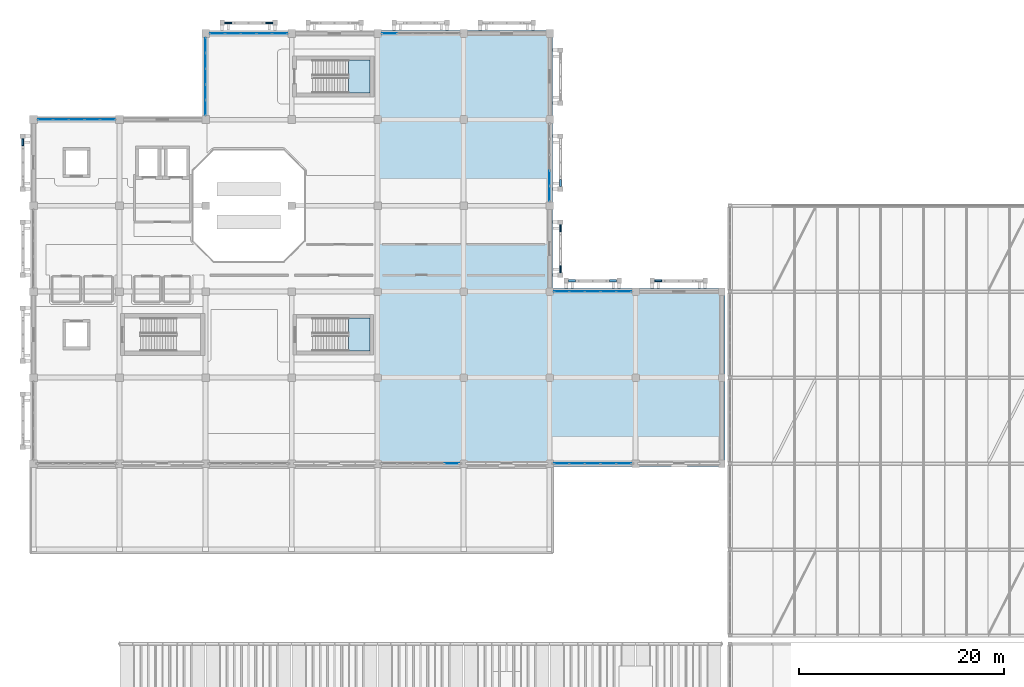
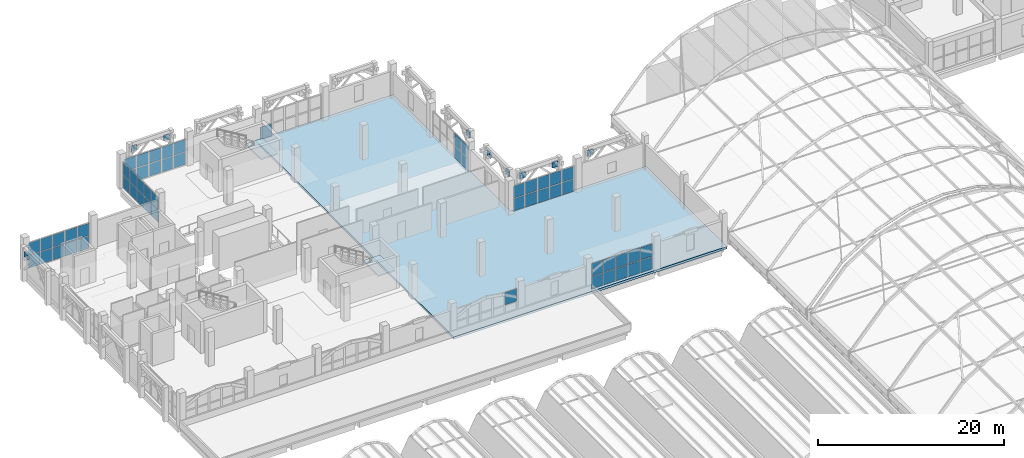
# One storey, part 92 of 114: 65 plates, 3 slabs, 10 elements without a shape of their own.
"""IFC4 building model written with IfcOpenShell, lengths in metres."""

from ifc_helpers import new_model, si_unit, direction, frame, origin, origin_2d, place, context, subcontext, project, spatial, polyline, rectangle, outline, extrude, material, layer, layer_set, type_object, element, aggregate, save


model = new_model("IFC4")

# Units and contexts
model_context = context("Model", 3, precision=1e-05, world=origin(), true_north=direction((0.0, 1.0)))
body_context = subcontext(model_context, "Body", "Model", "MODEL_VIEW")
ifc_project = project(units=[si_unit("LENGTHUNIT", "METRE"), si_unit("AREAUNIT", "SQUARE_METRE"), si_unit("VOLUMEUNIT", "CUBIC_METRE"), si_unit("PLANEANGLEUNIT", "RADIAN"), si_unit("MASSUNIT", "GRAM", prefix="KILO")], contexts=[model_context])

# Site, building, storey
site_placement = place(None, origin())
site = spatial("IfcSite", under=ifc_project, at=site_placement, CompositionType="ELEMENT")
building_placement = place(site_placement, origin())
building = spatial("IfcBuilding", under=site, at=building_placement, Name="Xazarin Passage Department Store", CompositionType="ELEMENT")
storey_placement = place(building_placement, frame((0.0, 0.0, 14.39990234375)))
storey = spatial("IfcBuildingStorey", under=building, at=storey_placement, Name="L03", CompositionType="ELEMENT", Elevation=14.39990234375)

# Curtain wall, plate
ifc_material_1 = material(Name="Bronze anodised aluminium", Category="aluminium")
ifc_layer_1 = layer(ifc_material_1, 0.199951171875)
ifc_layer_set_1 = layer_set([ifc_layer_1], Name="Bronze anodised aluminium")
curtain_wall_type = type_object("IfcCurtainWallType", Name="ARC-CW-VIT2", PredefinedType="NOTDEFINED", material=ifc_layer_set_1)
curtain_wall_1_placement = place(storey_placement, origin())
curtain_wall_1 = element("IfcCurtainWall", 1, at=curtain_wall_1_placement, inside=storey, type_object=curtain_wall_type, Name="L03 V1 Curtain Wall 057", PredefinedType="NOTDEFINED")
ifc_material_2 = material(Name="Low-E laminated safety glass", Category="glass")
ifc_layer_2 = layer(ifc_material_2, 0.031982421875)
ifc_layer_set_2 = layer_set([ifc_layer_2], Name="Low-E laminated safety glass")
plate_type_1 = type_object("IfcPlateType", Name="ARC-CWP-GLZ32", PredefinedType="CURTAIN_PANEL", material=ifc_layer_set_2)
plate_1_placement = place(storey_placement, frame((40.84130859375, 68.0, 1.7626953125), z_axis=(0.0, 0.0, 1.0), x_axis=(1.0, 0.0, 0.0)))
plate_1 = element("IfcPlate", 2, at=plate_1_placement, type_object=plate_type_1, Name="CW2 panel 5.2", PredefinedType="CURTAIN_PANEL", context=body_context, shape_type="SweptSolid", body=[
    extrude(rectangle(XDim=1.41748046875, YDim=0.031982421875, at=origin_2d()), origin(), (0.0, 0.0, 1.0), 1.612548828125),
])
aggregate(curtain_wall_1, [plate_1])

# Curtain wall, plates
curtain_wall_2_placement = place(storey_placement, origin())
curtain_wall_2 = element("IfcCurtainWall", 3, at=curtain_wall_2_placement, inside=storey, type_object=curtain_wall_type, Name="L03 V1 Curtain Wall 058", PredefinedType="NOTDEFINED")
plate_2_placement = place(storey_placement, frame((51.558837890625, 68.0, 0.0751953125), z_axis=(0.0, 0.0, 1.0), x_axis=(1.0, 0.0, 0.0)))
plate_2 = element("IfcPlate", 4, at=plate_2_placement, type_object=plate_type_1, Name="CW2 panel 1.1", PredefinedType="CURTAIN_PANEL", context=body_context, shape_type="SweptSolid", body=[
    extrude(rectangle(XDim=1.41748046875, YDim=0.031982421875, at=origin_2d()), origin(), (0.0, 0.0, 1.0), 1.612548828125),
])
plate_3_placement = place(storey_placement, frame((51.558837890625, 68.0, 1.7626953125), z_axis=(0.0, 0.0, 1.0), x_axis=(1.0, 0.0, 0.0)))
plate_3 = element("IfcPlate", 5, at=plate_3_placement, type_object=plate_type_1, Name="CW2 panel 1.2", PredefinedType="CURTAIN_PANEL", context=body_context, shape_type="SweptSolid", body=[
    extrude(rectangle(XDim=1.41748046875, YDim=0.031982421875, at=origin_2d()), origin(), (0.0, 0.0, 1.0), 1.612548828125),
])
plate_4_placement = place(storey_placement, frame((53.070068359375, 68.0, 0.0751953125), z_axis=(0.0, 0.0, 1.0), x_axis=(1.0, 0.0, 0.0)))
plate_4 = element("IfcPlate", 6, at=plate_4_placement, type_object=plate_type_1, Name="CW2 panel 2.1", PredefinedType="CURTAIN_PANEL", context=body_context, shape_type="SweptSolid", body=[
    extrude(rectangle(XDim=1.455078125, YDim=0.031982421875, at=origin_2d()), origin(), (0.0, 0.0, 1.0), 1.612548828125),
])
plate_5_placement = place(storey_placement, frame((53.070068359375, 68.0, 1.7626953125), z_axis=(0.0, 0.0, 1.0), x_axis=(1.0, 0.0, 0.0)))
plate_5 = element("IfcPlate", 7, at=plate_5_placement, type_object=plate_type_1, Name="CW2 panel 2.2", PredefinedType="CURTAIN_PANEL", context=body_context, shape_type="SweptSolid", body=[
    extrude(rectangle(XDim=1.455078125, YDim=0.031982421875, at=origin_2d()), origin(), (0.0, 0.0, 1.0), 1.612548828125),
])
plate_6_placement = place(storey_placement, frame((54.60009765625, 68.0, 0.0751953125), z_axis=(0.0, 0.0, 1.0), x_axis=(1.0, 0.0, 0.0)))
plate_6 = element("IfcPlate", 8, at=plate_6_placement, type_object=plate_type_1, Name="CW2 panel 3.1", PredefinedType="CURTAIN_PANEL", context=body_context, shape_type="SweptSolid", body=[
    extrude(rectangle(XDim=1.455078125, YDim=0.031982421875, at=origin_2d()), origin(), (0.0, 0.0, 1.0), 1.612548828125),
])
plate_7_placement = place(storey_placement, frame((54.60009765625, 68.0, 1.7626953125), z_axis=(0.0, 0.0, 1.0), x_axis=(1.0, 0.0, 0.0)))
plate_7 = element("IfcPlate", 9, at=plate_7_placement, type_object=plate_type_1, Name="CW2 panel 3.2", PredefinedType="CURTAIN_PANEL", context=body_context, shape_type="SweptSolid", body=[
    extrude(rectangle(XDim=1.455078125, YDim=0.031982421875, at=origin_2d()), origin(), (0.0, 0.0, 1.0), 1.612548828125),
])
plate_8_placement = place(storey_placement, frame((56.1298828125, 68.0, 0.0751953125), z_axis=(0.0, 0.0, 1.0), x_axis=(1.0, 0.0, 0.0)))
plate_8 = element("IfcPlate", 10, at=plate_8_placement, type_object=plate_type_1, Name="CW2 panel 4.1", PredefinedType="CURTAIN_PANEL", context=body_context, shape_type="SweptSolid", body=[
    extrude(rectangle(XDim=1.455078125, YDim=0.031982421875, at=origin_2d()), origin(), (0.0, 0.0, 1.0), 1.612548828125),
])
plate_9_placement = place(storey_placement, frame((56.1298828125, 68.0, 1.7626953125), z_axis=(0.0, 0.0, 1.0), x_axis=(1.0, 0.0, 0.0)))
plate_9 = element("IfcPlate", 11, at=plate_9_placement, type_object=plate_type_1, Name="CW2 panel 4.2", PredefinedType="CURTAIN_PANEL", context=body_context, shape_type="SweptSolid", body=[
    extrude(rectangle(XDim=1.455078125, YDim=0.031982421875, at=origin_2d()), origin(), (0.0, 0.0, 1.0), 1.612548828125),
])
plate_10_placement = place(storey_placement, frame((57.641357421875, 68.0, 0.0751953125), z_axis=(0.0, 0.0, 1.0), x_axis=(1.0, 0.0, 0.0)))
plate_10 = element("IfcPlate", 12, at=plate_10_placement, type_object=plate_type_1, Name="CW2 panel 5.1", PredefinedType="CURTAIN_PANEL", context=body_context, shape_type="SweptSolid", body=[
    extrude(rectangle(XDim=1.41748046875, YDim=0.031982421875, at=origin_2d()), origin(), (0.0, 0.0, 1.0), 1.612548828125),
])
plate_11_placement = place(storey_placement, frame((57.641357421875, 68.0, 1.7626953125), z_axis=(0.0, 0.0, 1.0), x_axis=(1.0, 0.0, 0.0)))
plate_11 = element("IfcPlate", 13, at=plate_11_placement, type_object=plate_type_1, Name="CW2 panel 5.2", PredefinedType="CURTAIN_PANEL", context=body_context, shape_type="SweptSolid", body=[
    extrude(rectangle(XDim=1.41748046875, YDim=0.031982421875, at=origin_2d()), origin(), (0.0, 0.0, 1.0), 1.612548828125),
])
aggregate(curtain_wall_2, [plate_2, plate_3, plate_4, plate_5, plate_6, plate_7, plate_8, plate_9, plate_10, plate_11])

curtain_wall_3_placement = place(storey_placement, origin())
curtain_wall_3 = element("IfcCurtainWall", 14, at=curtain_wall_3_placement, inside=storey, type_object=curtain_wall_type, Name="L03 V1 Curtain Wall 059", PredefinedType="NOTDEFINED")
plate_12_placement = place(storey_placement, frame((51.558837890625, 84.800048828125, 0.0751953125), z_axis=(0.0, 0.0, 1.0), x_axis=(1.0, 0.0, 0.0)))
plate_12 = element("IfcPlate", 15, at=plate_12_placement, type_object=plate_type_1, Name="CW2 panel 1.1", PredefinedType="CURTAIN_PANEL", context=body_context, shape_type="SweptSolid", body=[
    extrude(rectangle(XDim=1.41748046875, YDim=0.031982421875, at=origin_2d()), origin(), (0.0, 0.0, 1.0), 1.612548828125),
])
plate_13_placement = place(storey_placement, frame((51.558837890625, 84.800048828125, 1.7626953125), z_axis=(0.0, 0.0, 1.0), x_axis=(1.0, 0.0, 0.0)))
plate_13 = element("IfcPlate", 16, at=plate_13_placement, type_object=plate_type_1, Name="CW2 panel 1.2", PredefinedType="CURTAIN_PANEL", context=body_context, shape_type="SweptSolid", body=[
    extrude(rectangle(XDim=1.41748046875, YDim=0.031982421875, at=origin_2d()), origin(), (0.0, 0.0, 1.0), 1.612548828125),
])
plate_14_placement = place(storey_placement, frame((53.070068359375, 84.800048828125, 0.0751953125), z_axis=(0.0, 0.0, 1.0), x_axis=(1.0, 0.0, 0.0)))
plate_14 = element("IfcPlate", 17, at=plate_14_placement, type_object=plate_type_1, Name="CW2 panel 2.1", PredefinedType="CURTAIN_PANEL", context=body_context, shape_type="SweptSolid", body=[
    extrude(rectangle(XDim=1.455078125, YDim=0.031982421875, at=origin_2d()), origin(), (0.0, 0.0, 1.0), 1.612548828125),
])
plate_15_placement = place(storey_placement, frame((53.070068359375, 84.800048828125, 1.7626953125), z_axis=(0.0, 0.0, 1.0), x_axis=(1.0, 0.0, 0.0)))
plate_15 = element("IfcPlate", 18, at=plate_15_placement, type_object=plate_type_1, Name="CW2 panel 2.2", PredefinedType="CURTAIN_PANEL", context=body_context, shape_type="SweptSolid", body=[
    extrude(rectangle(XDim=1.455078125, YDim=0.031982421875, at=origin_2d()), origin(), (0.0, 0.0, 1.0), 1.612548828125),
])
plate_16_placement = place(storey_placement, frame((54.60009765625, 84.800048828125, 0.0751953125), z_axis=(0.0, 0.0, 1.0), x_axis=(1.0, 0.0, 0.0)))
plate_16 = element("IfcPlate", 19, at=plate_16_placement, type_object=plate_type_1, Name="CW2 panel 3.1", PredefinedType="CURTAIN_PANEL", context=body_context, shape_type="SweptSolid", body=[
    extrude(rectangle(XDim=1.455078125, YDim=0.031982421875, at=origin_2d()), origin(), (0.0, 0.0, 1.0), 1.612548828125),
])
plate_17_placement = place(storey_placement, frame((54.60009765625, 84.800048828125, 1.7626953125), z_axis=(0.0, 0.0, 1.0), x_axis=(1.0, 0.0, 0.0)))
plate_17 = element("IfcPlate", 20, at=plate_17_placement, type_object=plate_type_1, Name="CW2 panel 3.2", PredefinedType="CURTAIN_PANEL", context=body_context, shape_type="SweptSolid", body=[
    extrude(rectangle(XDim=1.455078125, YDim=0.031982421875, at=origin_2d()), origin(), (0.0, 0.0, 1.0), 1.612548828125),
])
plate_18_placement = place(storey_placement, frame((56.1298828125, 84.800048828125, 0.0751953125), z_axis=(0.0, 0.0, 1.0), x_axis=(1.0, 0.0, 0.0)))
plate_18 = element("IfcPlate", 21, at=plate_18_placement, type_object=plate_type_1, Name="CW2 panel 4.1", PredefinedType="CURTAIN_PANEL", context=body_context, shape_type="SweptSolid", body=[
    extrude(rectangle(XDim=1.455078125, YDim=0.031982421875, at=origin_2d()), origin(), (0.0, 0.0, 1.0), 1.612548828125),
])
plate_19_placement = place(storey_placement, frame((56.1298828125, 84.800048828125, 1.7626953125), z_axis=(0.0, 0.0, 1.0), x_axis=(1.0, 0.0, 0.0)))
plate_19 = element("IfcPlate", 22, at=plate_19_placement, type_object=plate_type_1, Name="CW2 panel 4.2", PredefinedType="CURTAIN_PANEL", context=body_context, shape_type="SweptSolid", body=[
    extrude(rectangle(XDim=1.455078125, YDim=0.031982421875, at=origin_2d()), origin(), (0.0, 0.0, 1.0), 1.612548828125),
])
plate_20_placement = place(storey_placement, frame((57.641357421875, 84.800048828125, 0.0751953125), z_axis=(0.0, 0.0, 1.0), x_axis=(1.0, 0.0, 0.0)))
plate_20 = element("IfcPlate", 23, at=plate_20_placement, type_object=plate_type_1, Name="CW2 panel 5.1", PredefinedType="CURTAIN_PANEL", context=body_context, shape_type="SweptSolid", body=[
    extrude(rectangle(XDim=1.41748046875, YDim=0.031982421875, at=origin_2d()), origin(), (0.0, 0.0, 1.0), 1.612548828125),
])
plate_21_placement = place(storey_placement, frame((57.641357421875, 84.800048828125, 1.7626953125), z_axis=(0.0, 0.0, 1.0), x_axis=(1.0, 0.0, 0.0)))
plate_21 = element("IfcPlate", 24, at=plate_21_placement, type_object=plate_type_1, Name="CW2 panel 5.2", PredefinedType="CURTAIN_PANEL", context=body_context, shape_type="SweptSolid", body=[
    extrude(rectangle(XDim=1.41748046875, YDim=0.031982421875, at=origin_2d()), origin(), (0.0, 0.0, 1.0), 1.612548828125),
])
aggregate(curtain_wall_3, [plate_12, plate_13, plate_14, plate_15, plate_16, plate_17, plate_18, plate_19, plate_20, plate_21])

curtain_wall_4_placement = place(storey_placement, origin())
curtain_wall_4 = element("IfcCurtainWall", 25, at=curtain_wall_4_placement, inside=storey, type_object=curtain_wall_type, Name="L03 V1 Curtain Wall 060", PredefinedType="NOTDEFINED")
plate_22_placement = place(storey_placement, frame((1.15869140625, 101.60009765625, 0.0751953125), z_axis=(0.0, 0.0, 1.0), x_axis=(1.0, 0.0, 0.0)))
plate_22 = element("IfcPlate", 26, at=plate_22_placement, type_object=plate_type_1, Name="CW2 panel 1.1", PredefinedType="CURTAIN_PANEL", context=body_context, shape_type="SweptSolid", body=[
    extrude(rectangle(XDim=1.41748046875, YDim=0.031982421875, at=origin_2d()), origin(), (0.0, 0.0, 1.0), 1.612548828125),
])
plate_23_placement = place(storey_placement, frame((1.15869140625, 101.60009765625, 1.7626953125), z_axis=(0.0, 0.0, 1.0), x_axis=(1.0, 0.0, 0.0)))
plate_23 = element("IfcPlate", 27, at=plate_23_placement, type_object=plate_type_1, Name="CW2 panel 1.2", PredefinedType="CURTAIN_PANEL", context=body_context, shape_type="SweptSolid", body=[
    extrude(rectangle(XDim=1.41748046875, YDim=0.031982421875, at=origin_2d()), origin(), (0.0, 0.0, 1.0), 1.612548828125),
])
plate_24_placement = place(storey_placement, frame((2.669921875, 101.60009765625, 0.0751953125), z_axis=(0.0, 0.0, 1.0), x_axis=(1.0, 0.0, 0.0)))
plate_24 = element("IfcPlate", 28, at=plate_24_placement, type_object=plate_type_1, Name="CW2 panel 2.1", PredefinedType="CURTAIN_PANEL", context=body_context, shape_type="SweptSolid", body=[
    extrude(rectangle(XDim=1.455078125, YDim=0.031982421875, at=origin_2d()), origin(), (0.0, 0.0, 1.0), 1.612548828125),
])
plate_25_placement = place(storey_placement, frame((2.669921875, 101.60009765625, 1.7626953125), z_axis=(0.0, 0.0, 1.0), x_axis=(1.0, 0.0, 0.0)))
plate_25 = element("IfcPlate", 29, at=plate_25_placement, type_object=plate_type_1, Name="CW2 panel 2.2", PredefinedType="CURTAIN_PANEL", context=body_context, shape_type="SweptSolid", body=[
    extrude(rectangle(XDim=1.455078125, YDim=0.031982421875, at=origin_2d()), origin(), (0.0, 0.0, 1.0), 1.612548828125),
])
plate_26_placement = place(storey_placement, frame((4.199951171875, 101.60009765625, 0.0751953125), z_axis=(0.0, 0.0, 1.0), x_axis=(1.0, 0.0, 0.0)))
plate_26 = element("IfcPlate", 30, at=plate_26_placement, type_object=plate_type_1, Name="CW2 panel 3.1", PredefinedType="CURTAIN_PANEL", context=body_context, shape_type="SweptSolid", body=[
    extrude(rectangle(XDim=1.455078125, YDim=0.031982421875, at=origin_2d()), origin(), (0.0, 0.0, 1.0), 1.612548828125),
])
plate_27_placement = place(storey_placement, frame((4.199951171875, 101.60009765625, 1.7626953125), z_axis=(0.0, 0.0, 1.0), x_axis=(1.0, 0.0, 0.0)))
plate_27 = element("IfcPlate", 31, at=plate_27_placement, type_object=plate_type_1, Name="CW2 panel 3.2", PredefinedType="CURTAIN_PANEL", context=body_context, shape_type="SweptSolid", body=[
    extrude(rectangle(XDim=1.455078125, YDim=0.031982421875, at=origin_2d()), origin(), (0.0, 0.0, 1.0), 1.612548828125),
])
plate_28_placement = place(storey_placement, frame((5.72998046875, 101.60009765625, 0.0751953125), z_axis=(0.0, 0.0, 1.0), x_axis=(1.0, 0.0, 0.0)))
plate_28 = element("IfcPlate", 32, at=plate_28_placement, type_object=plate_type_1, Name="CW2 panel 4.1", PredefinedType="CURTAIN_PANEL", context=body_context, shape_type="SweptSolid", body=[
    extrude(rectangle(XDim=1.455078125, YDim=0.031982421875, at=origin_2d()), origin(), (0.0, 0.0, 1.0), 1.612548828125),
])
plate_29_placement = place(storey_placement, frame((5.72998046875, 101.60009765625, 1.7626953125), z_axis=(0.0, 0.0, 1.0), x_axis=(1.0, 0.0, 0.0)))
plate_29 = element("IfcPlate", 33, at=plate_29_placement, type_object=plate_type_1, Name="CW2 panel 4.2", PredefinedType="CURTAIN_PANEL", context=body_context, shape_type="SweptSolid", body=[
    extrude(rectangle(XDim=1.455078125, YDim=0.031982421875, at=origin_2d()), origin(), (0.0, 0.0, 1.0), 1.612548828125),
])
plate_30_placement = place(storey_placement, frame((7.2412109375, 101.60009765625, 0.0751953125), z_axis=(0.0, 0.0, 1.0), x_axis=(1.0, 0.0, 0.0)))
plate_30 = element("IfcPlate", 34, at=plate_30_placement, type_object=plate_type_1, Name="CW2 panel 5.1", PredefinedType="CURTAIN_PANEL", context=body_context, shape_type="SweptSolid", body=[
    extrude(rectangle(XDim=1.41748046875, YDim=0.031982421875, at=origin_2d()), origin(), (0.0, 0.0, 1.0), 1.612548828125),
])
plate_31_placement = place(storey_placement, frame((7.2412109375, 101.60009765625, 1.7626953125), z_axis=(0.0, 0.0, 1.0), x_axis=(1.0, 0.0, 0.0)))
plate_31 = element("IfcPlate", 35, at=plate_31_placement, type_object=plate_type_1, Name="CW2 panel 5.2", PredefinedType="CURTAIN_PANEL", context=body_context, shape_type="SweptSolid", body=[
    extrude(rectangle(XDim=1.41748046875, YDim=0.031982421875, at=origin_2d()), origin(), (0.0, 0.0, 1.0), 1.612548828125),
])
aggregate(curtain_wall_4, [plate_22, plate_23, plate_24, plate_25, plate_26, plate_27, plate_28, plate_29, plate_30, plate_31])

curtain_wall_5_placement = place(storey_placement, origin())
curtain_wall_5 = element("IfcCurtainWall", 36, at=curtain_wall_5_placement, inside=storey, type_object=curtain_wall_type, Name="L03 V1 Curtain Wall 061", PredefinedType="NOTDEFINED")
plate_32_placement = place(storey_placement, frame((17.958740234375, 110.0, 0.0751953125), z_axis=(0.0, 0.0, 1.0), x_axis=(1.0, 0.0, 0.0)))
plate_32 = element("IfcPlate", 37, at=plate_32_placement, type_object=plate_type_1, Name="CW2 panel 1.1", PredefinedType="CURTAIN_PANEL", context=body_context, shape_type="SweptSolid", body=[
    extrude(rectangle(XDim=1.41748046875, YDim=0.031982421875, at=origin_2d()), origin(), (0.0, 0.0, 1.0), 1.612548828125),
])
plate_33_placement = place(storey_placement, frame((17.958740234375, 110.0, 1.7626953125), z_axis=(0.0, 0.0, 1.0), x_axis=(1.0, 0.0, 0.0)))
plate_33 = element("IfcPlate", 38, at=plate_33_placement, type_object=plate_type_1, Name="CW2 panel 1.2", PredefinedType="CURTAIN_PANEL", context=body_context, shape_type="SweptSolid", body=[
    extrude(rectangle(XDim=1.41748046875, YDim=0.031982421875, at=origin_2d()), origin(), (0.0, 0.0, 1.0), 1.612548828125),
])
plate_34_placement = place(storey_placement, frame((19.469970703125, 110.0, 0.0751953125), z_axis=(0.0, 0.0, 1.0), x_axis=(1.0, 0.0, 0.0)))
plate_34 = element("IfcPlate", 39, at=plate_34_placement, type_object=plate_type_1, Name="CW2 panel 2.1", PredefinedType="CURTAIN_PANEL", context=body_context, shape_type="SweptSolid", body=[
    extrude(rectangle(XDim=1.455078125, YDim=0.031982421875, at=origin_2d()), origin(), (0.0, 0.0, 1.0), 1.612548828125),
])
plate_35_placement = place(storey_placement, frame((19.469970703125, 110.0, 1.7626953125), z_axis=(0.0, 0.0, 1.0), x_axis=(1.0, 0.0, 0.0)))
plate_35 = element("IfcPlate", 40, at=plate_35_placement, type_object=plate_type_1, Name="CW2 panel 2.2", PredefinedType="CURTAIN_PANEL", context=body_context, shape_type="SweptSolid", body=[
    extrude(rectangle(XDim=1.455078125, YDim=0.031982421875, at=origin_2d()), origin(), (0.0, 0.0, 1.0), 1.612548828125),
])
plate_36_placement = place(storey_placement, frame((21.0, 110.0, 0.0751953125), z_axis=(0.0, 0.0, 1.0), x_axis=(1.0, 0.0, 0.0)))
plate_36 = element("IfcPlate", 41, at=plate_36_placement, type_object=plate_type_1, Name="CW2 panel 3.1", PredefinedType="CURTAIN_PANEL", context=body_context, shape_type="SweptSolid", body=[
    extrude(rectangle(XDim=1.455078125, YDim=0.031982421875, at=origin_2d()), origin(), (0.0, 0.0, 1.0), 1.612548828125),
])
plate_37_placement = place(storey_placement, frame((21.0, 110.0, 1.7626953125), z_axis=(0.0, 0.0, 1.0), x_axis=(1.0, 0.0, 0.0)))
plate_37 = element("IfcPlate", 42, at=plate_37_placement, type_object=plate_type_1, Name="CW2 panel 3.2", PredefinedType="CURTAIN_PANEL", context=body_context, shape_type="SweptSolid", body=[
    extrude(rectangle(XDim=1.455078125, YDim=0.031982421875, at=origin_2d()), origin(), (0.0, 0.0, 1.0), 1.612548828125),
])
plate_38_placement = place(storey_placement, frame((22.530029296875, 110.0, 0.0751953125), z_axis=(0.0, 0.0, 1.0), x_axis=(1.0, 0.0, 0.0)))
plate_38 = element("IfcPlate", 43, at=plate_38_placement, type_object=plate_type_1, Name="CW2 panel 4.1", PredefinedType="CURTAIN_PANEL", context=body_context, shape_type="SweptSolid", body=[
    extrude(rectangle(XDim=1.455078125, YDim=0.031982421875, at=origin_2d()), origin(), (0.0, 0.0, 1.0), 1.612548828125),
])
plate_39_placement = place(storey_placement, frame((22.530029296875, 110.0, 1.7626953125), z_axis=(0.0, 0.0, 1.0), x_axis=(1.0, 0.0, 0.0)))
plate_39 = element("IfcPlate", 44, at=plate_39_placement, type_object=plate_type_1, Name="CW2 panel 4.2", PredefinedType="CURTAIN_PANEL", context=body_context, shape_type="SweptSolid", body=[
    extrude(rectangle(XDim=1.455078125, YDim=0.031982421875, at=origin_2d()), origin(), (0.0, 0.0, 1.0), 1.612548828125),
])
plate_40_placement = place(storey_placement, frame((24.041259765625, 110.0, 0.0751953125), z_axis=(0.0, 0.0, 1.0), x_axis=(1.0, 0.0, 0.0)))
plate_40 = element("IfcPlate", 45, at=plate_40_placement, type_object=plate_type_1, Name="CW2 panel 5.1", PredefinedType="CURTAIN_PANEL", context=body_context, shape_type="SweptSolid", body=[
    extrude(rectangle(XDim=1.41748046875, YDim=0.031982421875, at=origin_2d()), origin(), (0.0, 0.0, 1.0), 1.612548828125),
])
plate_41_placement = place(storey_placement, frame((24.041259765625, 110.0, 1.7626953125), z_axis=(0.0, 0.0, 1.0), x_axis=(1.0, 0.0, 0.0)))
plate_41 = element("IfcPlate", 46, at=plate_41_placement, type_object=plate_type_1, Name="CW2 panel 5.2", PredefinedType="CURTAIN_PANEL", context=body_context, shape_type="SweptSolid", body=[
    extrude(rectangle(XDim=1.41748046875, YDim=0.031982421875, at=origin_2d()), origin(), (0.0, 0.0, 1.0), 1.612548828125),
])
aggregate(curtain_wall_5, [plate_32, plate_33, plate_34, plate_35, plate_36, plate_37, plate_38, plate_39, plate_40, plate_41])

# Curtain wall, plate
curtain_wall_6_placement = place(storey_placement, origin())
curtain_wall_6 = element("IfcCurtainWall", 47, at=curtain_wall_6_placement, inside=storey, type_object=curtain_wall_type, Name="L03 V1 Curtain Wall 062", PredefinedType="NOTDEFINED")
plate_42_placement = place(storey_placement, frame((34.7587890625, 110.0, 0.0751953125), z_axis=(0.0, 0.0, 1.0), x_axis=(1.0, 0.0, 0.0)))
plate_42 = element("IfcPlate", 48, at=plate_42_placement, type_object=plate_type_1, Name="CW2 panel 1.1", PredefinedType="CURTAIN_PANEL", context=body_context, shape_type="SweptSolid", body=[
    extrude(rectangle(XDim=1.41748046875, YDim=0.031982421875, at=origin_2d()), origin(), (0.0, 0.0, 1.0), 1.612548828125),
])
aggregate(curtain_wall_6, [plate_42])

# Curtain wall, plates
curtain_wall_7_placement = place(storey_placement, origin())
curtain_wall_7 = element("IfcCurtainWall", 49, at=curtain_wall_7_placement, inside=storey, type_object=curtain_wall_type, Name="L03 V1 Curtain Wall 065", PredefinedType="NOTDEFINED")
plate_43_placement = place(storey_placement, frame((16.800048828125, 102.7587890625, 0.0751953125), z_axis=(0.0, 0.0, 1.0), x_axis=(0.0, 1.0, 0.0)))
plate_43 = element("IfcPlate", 50, at=plate_43_placement, type_object=plate_type_1, Name="CW2 panel 1.1", PredefinedType="CURTAIN_PANEL", context=body_context, shape_type="SweptSolid", body=[
    extrude(rectangle(XDim=1.41748046875, YDim=0.031982421875, at=origin_2d()), origin(), (0.0, 0.0, 1.0), 1.612548828125),
])
plate_44_placement = place(storey_placement, frame((16.800048828125, 102.7587890625, 1.7626953125), z_axis=(0.0, 0.0, 1.0), x_axis=(0.0, 1.0, 0.0)))
plate_44 = element("IfcPlate", 51, at=plate_44_placement, type_object=plate_type_1, Name="CW2 panel 1.2", PredefinedType="CURTAIN_PANEL", context=body_context, shape_type="SweptSolid", body=[
    extrude(rectangle(XDim=1.41748046875, YDim=0.031982421875, at=origin_2d()), origin(), (0.0, 0.0, 1.0), 1.612548828125),
])
plate_45_placement = place(storey_placement, frame((16.800048828125, 104.27001953125, 0.0751953125), z_axis=(0.0, 0.0, 1.0), x_axis=(0.0, 1.0, 0.0)))
plate_45 = element("IfcPlate", 52, at=plate_45_placement, type_object=plate_type_1, Name="CW2 panel 2.1", PredefinedType="CURTAIN_PANEL", context=body_context, shape_type="SweptSolid", body=[
    extrude(rectangle(XDim=1.455078125, YDim=0.031982421875, at=origin_2d()), origin(), (0.0, 0.0, 1.0), 1.612548828125),
])
plate_46_placement = place(storey_placement, frame((16.800048828125, 104.27001953125, 1.7626953125), z_axis=(0.0, 0.0, 1.0), x_axis=(0.0, 1.0, 0.0)))
plate_46 = element("IfcPlate", 53, at=plate_46_placement, type_object=plate_type_1, Name="CW2 panel 2.2", PredefinedType="CURTAIN_PANEL", context=body_context, shape_type="SweptSolid", body=[
    extrude(rectangle(XDim=1.455078125, YDim=0.031982421875, at=origin_2d()), origin(), (0.0, 0.0, 1.0), 1.612548828125),
])
plate_47_placement = place(storey_placement, frame((16.800048828125, 105.800048828125, 0.0751953125), z_axis=(0.0, 0.0, 1.0), x_axis=(0.0, 1.0, 0.0)))
plate_47 = element("IfcPlate", 54, at=plate_47_placement, type_object=plate_type_1, Name="CW2 panel 3.1", PredefinedType="CURTAIN_PANEL", context=body_context, shape_type="SweptSolid", body=[
    extrude(rectangle(XDim=1.455078125, YDim=0.031982421875, at=origin_2d()), origin(), (0.0, 0.0, 1.0), 1.612548828125),
])
plate_48_placement = place(storey_placement, frame((16.800048828125, 105.800048828125, 1.7626953125), z_axis=(0.0, 0.0, 1.0), x_axis=(0.0, 1.0, 0.0)))
plate_48 = element("IfcPlate", 55, at=plate_48_placement, type_object=plate_type_1, Name="CW2 panel 3.2", PredefinedType="CURTAIN_PANEL", context=body_context, shape_type="SweptSolid", body=[
    extrude(rectangle(XDim=1.455078125, YDim=0.031982421875, at=origin_2d()), origin(), (0.0, 0.0, 1.0), 1.612548828125),
])
plate_49_placement = place(storey_placement, frame((16.800048828125, 107.330078125, 0.0751953125), z_axis=(0.0, 0.0, 1.0), x_axis=(0.0, 1.0, 0.0)))
plate_49 = element("IfcPlate", 56, at=plate_49_placement, type_object=plate_type_1, Name="CW2 panel 4.1", PredefinedType="CURTAIN_PANEL", context=body_context, shape_type="SweptSolid", body=[
    extrude(rectangle(XDim=1.455078125, YDim=0.031982421875, at=origin_2d()), origin(), (0.0, 0.0, 1.0), 1.612548828125),
])
plate_50_placement = place(storey_placement, frame((16.800048828125, 107.330078125, 1.7626953125), z_axis=(0.0, 0.0, 1.0), x_axis=(0.0, 1.0, 0.0)))
plate_50 = element("IfcPlate", 57, at=plate_50_placement, type_object=plate_type_1, Name="CW2 panel 4.2", PredefinedType="CURTAIN_PANEL", context=body_context, shape_type="SweptSolid", body=[
    extrude(rectangle(XDim=1.455078125, YDim=0.031982421875, at=origin_2d()), origin(), (0.0, 0.0, 1.0), 1.612548828125),
])
plate_51_placement = place(storey_placement, frame((16.800048828125, 108.84130859375, 0.0751953125), z_axis=(0.0, 0.0, 1.0), x_axis=(0.0, 1.0, 0.0)))
plate_51 = element("IfcPlate", 58, at=plate_51_placement, type_object=plate_type_1, Name="CW2 panel 5.1", PredefinedType="CURTAIN_PANEL", context=body_context, shape_type="SweptSolid", body=[
    extrude(rectangle(XDim=1.41748046875, YDim=0.031982421875, at=origin_2d()), origin(), (0.0, 0.0, 1.0), 1.612548828125),
])
plate_52_placement = place(storey_placement, frame((16.800048828125, 108.84130859375, 1.7626953125), z_axis=(0.0, 0.0, 1.0), x_axis=(0.0, 1.0, 0.0)))
plate_52 = element("IfcPlate", 59, at=plate_52_placement, type_object=plate_type_1, Name="CW2 panel 5.2", PredefinedType="CURTAIN_PANEL", context=body_context, shape_type="SweptSolid", body=[
    extrude(rectangle(XDim=1.41748046875, YDim=0.031982421875, at=origin_2d()), origin(), (0.0, 0.0, 1.0), 1.612548828125),
])
aggregate(curtain_wall_7, [plate_43, plate_44, plate_45, plate_46, plate_47, plate_48, plate_49, plate_50, plate_51, plate_52])

curtain_wall_8_placement = place(storey_placement, origin())
curtain_wall_8 = element("IfcCurtainWall", 60, at=curtain_wall_8_placement, inside=storey, type_object=curtain_wall_type, Name="L03 V1 Curtain Wall 066", PredefinedType="NOTDEFINED")
plate_53_placement = place(storey_placement, frame((50.39990234375, 94.358642578125, 0.0751953125), z_axis=(0.0, 0.0, 1.0), x_axis=(0.0, 1.0, 0.0)))
plate_53 = element("IfcPlate", 61, at=plate_53_placement, type_object=plate_type_1, Name="CW2 panel 1.1", PredefinedType="CURTAIN_PANEL", context=body_context, shape_type="SweptSolid", body=[
    extrude(rectangle(XDim=1.41748046875, YDim=0.031982421875, at=origin_2d()), origin(), (0.0, 0.0, 1.0), 1.612548828125),
])
plate_54_placement = place(storey_placement, frame((50.39990234375, 94.358642578125, 1.7626953125), z_axis=(0.0, 0.0, 1.0), x_axis=(0.0, 1.0, 0.0)))
plate_54 = element("IfcPlate", 62, at=plate_54_placement, type_object=plate_type_1, Name="CW2 panel 1.2", PredefinedType="CURTAIN_PANEL", context=body_context, shape_type="SweptSolid", body=[
    extrude(rectangle(XDim=1.41748046875, YDim=0.031982421875, at=origin_2d()), origin(), (0.0, 0.0, 1.0), 1.612548828125),
])
plate_55_placement = place(storey_placement, frame((50.39990234375, 95.8701171875, 0.0751953125), z_axis=(0.0, 0.0, 1.0), x_axis=(0.0, 1.0, 0.0)))
plate_55 = element("IfcPlate", 63, at=plate_55_placement, type_object=plate_type_1, Name="CW2 panel 2.1", PredefinedType="CURTAIN_PANEL", context=body_context, shape_type="SweptSolid", body=[
    extrude(rectangle(XDim=1.455078125, YDim=0.031982421875, at=origin_2d()), origin(), (0.0, 0.0, 1.0), 1.612548828125),
])
plate_56_placement = place(storey_placement, frame((50.39990234375, 95.8701171875, 1.7626953125), z_axis=(0.0, 0.0, 1.0), x_axis=(0.0, 1.0, 0.0)))
plate_56 = element("IfcPlate", 64, at=plate_56_placement, type_object=plate_type_1, Name="CW2 panel 2.2", PredefinedType="CURTAIN_PANEL", context=body_context, shape_type="SweptSolid", body=[
    extrude(rectangle(XDim=1.455078125, YDim=0.031982421875, at=origin_2d()), origin(), (0.0, 0.0, 1.0), 1.612548828125),
])
aggregate(curtain_wall_8, [plate_53, plate_54, plate_55, plate_56])

# Plates
ifc_material_3 = material(Name="Precast concrete C40/50", Category="concrete")
ifc_layer_3 = layer(ifc_material_3, 0.139892578125)
ifc_layer_set_3 = layer_set([ifc_layer_3], Name="Precast concrete C40/50")
plate_type_2 = type_object("IfcPlateType", Name="ARC-PLT-SCR-07", PredefinedType="USERDEFINED", material=ifc_layer_set_3)
for number, where, z_axis, x_axis, name in (
    (65, (19.0, 111.050048828125, 3.26025390625), (0.0, 0.0, 1.0), (1.0, 0.0, 0.0), "L03 V1 Arch Spandrel Tympanum 0007"),
    (66, (23.0, 111.050048828125, 3.26025390625), (0.0, 0.0, 1.0), (1.0, 0.0, 0.0), "L03 V1 Arch Spandrel Tympanum 0008"),
    (67, (51.449951171875, 87.0, 3.26025390625), (0.0, 0.0, 1.0), (0.0, 1.0, 0.0), "L03 V1 Arch Spandrel Tympanum 0147"),
    (68, (51.449951171875, 91.0, 3.26025390625), (0.0, 0.0, 1.0), (0.0, 1.0, 0.0), "L03 V1 Arch Spandrel Tympanum 0148"),
):
    element("IfcPlate", number, at=place(storey_placement, frame(where, z_axis=z_axis, x_axis=x_axis)), inside=storey, type_object=plate_type_2, Name=name, ObjectType="SCREEN PANEL", PredefinedType="USERDEFINED", context=body_context, shape_type="SweptSolid", body=[
        extrude(rectangle(XDim=0.679931640625, YDim=0.139892578125, at=origin_2d()), origin(), (0.0, 0.0, 1.0), 0.719970703125),
    ])
ifc_layer_4 = layer(ifc_material_3, 0.179931640625)
ifc_layer_set_4 = layer_set([ifc_layer_4], Name="Precast concrete C40/50")
plate_type_3 = type_object("IfcPlateType", Name="ARC-PLT-SCR-11", PredefinedType="USERDEFINED", material=ifc_layer_set_4)
for number, where, z_axis, x_axis, name in (
    (69, (61.0, 85.85009765625, 3.26025390625), (0.0, 0.0, 1.0), (1.0, 0.0, 0.0), "L03 V1 Arch Spandrel Tympanum 0071"),
    (70, (-1.050048828125, 99.39990234375, 3.26025390625), (0.0, 0.0, 1.0), (0.0, 1.0, 0.0), "L03 V1 Arch Spandrel Tympanum 0132"),
):
    element("IfcPlate", number, at=place(storey_placement, frame(where, z_axis=z_axis, x_axis=x_axis)), inside=storey, type_object=plate_type_3, Name=name, ObjectType="SCREEN PANEL", PredefinedType="USERDEFINED", context=body_context, shape_type="SweptSolid", body=[
        extrude(rectangle(XDim=0.679931640625, YDim=0.179931640625, at=origin_2d()), origin(), (0.0, 0.0, 1.0), 0.719970703125),
    ])
ifc_layer_5 = layer(ifc_material_3, 0.219970703125)
ifc_layer_set_5 = layer_set([ifc_layer_5], Name="Precast concrete C40/50")
plate_type_4 = type_object("IfcPlateType", Name="ARC-PLT-SCR-15", PredefinedType="USERDEFINED", material=ifc_layer_set_5)
plate_57_placement = place(storey_placement, frame((51.449951171875, 95.39990234375, 3.26025390625), z_axis=(0.0, 0.0, 1.0), x_axis=(0.0, 1.0, 0.0)))
element("IfcPlate", 71, at=plate_57_placement, inside=storey, type_object=plate_type_4, Name="L03 V1 Arch Spandrel Tympanum 0155", ObjectType="SCREEN PANEL", PredefinedType="USERDEFINED", context=body_context, shape_type="SweptSolid", body=[
    extrude(rectangle(XDim=0.679931640625, YDim=0.219970703125, at=origin_2d()), origin(), (0.0, 0.0, 1.0), 0.719970703125),
])
ifc_layer_6 = layer(ifc_material_3, 0.260009765625)
ifc_layer_set_6 = layer_set([ifc_layer_6], Name="Precast concrete C40/50")
plate_type_5 = type_object("IfcPlateType", Name="ARC-PLT-SCR-19", PredefinedType="USERDEFINED", material=ifc_layer_set_6)
for number, where, z_axis, x_axis, name in (
    (72, (52.60009765625, 85.85009765625, 3.26025390625), (0.0, 0.0, 1.0), (1.0, 0.0, 0.0), "L03 V1 Arch Spandrel Tympanum 0059"),
    (73, (56.60009765625, 85.85009765625, 3.26025390625), (0.0, 0.0, 1.0), (1.0, 0.0, 0.0), "L03 V1 Arch Spandrel Tympanum 0060"),
):
    element("IfcPlate", number, at=place(storey_placement, frame(where, z_axis=z_axis, x_axis=x_axis)), inside=storey, type_object=plate_type_5, Name=name, ObjectType="SCREEN PANEL", PredefinedType="USERDEFINED", context=body_context, shape_type="SweptSolid", body=[
        extrude(rectangle(XDim=0.679931640625, YDim=0.260009765625, at=origin_2d()), origin(), (0.0, 0.0, 1.0), 0.719970703125),
    ])

# Slab
ifc_material_4 = material(Name="Concrete C35/45", Category="concrete")
ifc_layer_7 = layer(ifc_material_4, 0.300048828125)
ifc_layer_set_7 = layer_set([ifc_layer_7], Name="Concrete C35/45")
slab_type_1 = type_object("IfcSlabType", Name="STR-SLB-FLR300", PredefinedType="FLOOR", material=ifc_layer_set_7)
slab_1_placement = place(storey_placement, frame((0.0, 0.0, -0.2998046875)))
element("IfcSlab", 74, at=slab_1_placement, inside=storey, type_object=slab_type_1, Name="L03 V1 Suspended Floor Slab Bay 2", PredefinedType="FLOOR", context=body_context, shape_type="SweptSolid", body=[
    extrude(outline(polyline([(33.610107421875, 110.300048828125), (33.610107421875, 67.699951171875), (67.5, 67.699951171875), (67.5, 85.10009765625), (50.699951171875, 85.10009765625), (50.699951171875, 110.300048828125), (33.610107421875, 110.300048828125)])), origin(), (0.0, 0.0, 1.0), 0.2998046875),
])

# Stair, slab
stair_type = type_object("IfcStairType", Name="ARC-ST-TYP", PredefinedType="HALF_TURN_STAIR", material=ifc_material_4)
stair_1_placement = place(storey_placement, origin())
stair_1 = element("IfcStair", 75, at=stair_1_placement, inside=storey, type_object=stair_type, Name="L03 Exit Stair ST2", PredefinedType="HALF_TURN_STAIR")
ifc_layer_8 = layer(ifc_material_4, 0.199951171875)
ifc_layer_set_8 = layer_set([ifc_layer_8], Name="Concrete C35/45")
slab_type_2 = type_object("IfcSlabType", Name="STR-SLB-LND200", PredefinedType="LANDING", material=ifc_layer_set_8)
slab_2_placement = place(storey_placement, frame((0.0, 0.0, 2.050048828125)))
slab_2 = element("IfcSlab", 76, at=slab_2_placement, type_object=slab_type_2, Name="ST2 landing 1", PredefinedType="LANDING", context=body_context, shape_type="SweptSolid", body=[
    extrude(outline(polyline([(30.75, 104.179931640625), (32.85009765625, 104.179931640625), (32.85009765625, 107.419921875), (30.75, 107.419921875), (30.75, 104.179931640625)])), origin(), (0.0, 0.0, 1.0), 0.199951171875),
])
aggregate(stair_1, [slab_2])

stair_2_placement = place(storey_placement, origin())
stair_2 = element("IfcStair", 77, at=stair_2_placement, inside=storey, type_object=stair_type, Name="L03 Exit Stair ST3", PredefinedType="HALF_TURN_STAIR")
slab_3_placement = place(storey_placement, frame((0.0, 0.0, 2.050048828125)))
slab_3 = element("IfcSlab", 78, at=slab_3_placement, type_object=slab_type_2, Name="ST3 landing 1", PredefinedType="LANDING", context=body_context, shape_type="SweptSolid", body=[
    extrude(outline(polyline([(30.75, 78.97998046875), (32.85009765625, 78.97998046875), (32.85009765625, 82.219970703125), (30.75, 82.219970703125), (30.75, 78.97998046875)])), origin(), (0.0, 0.0, 1.0), 0.199951171875),
])
aggregate(stair_2, [slab_3])

save(model, "model.ifc")
